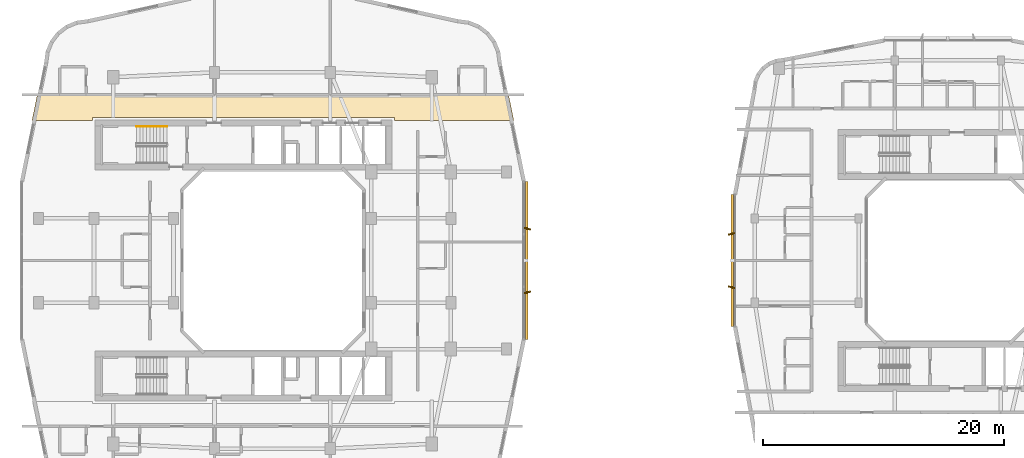
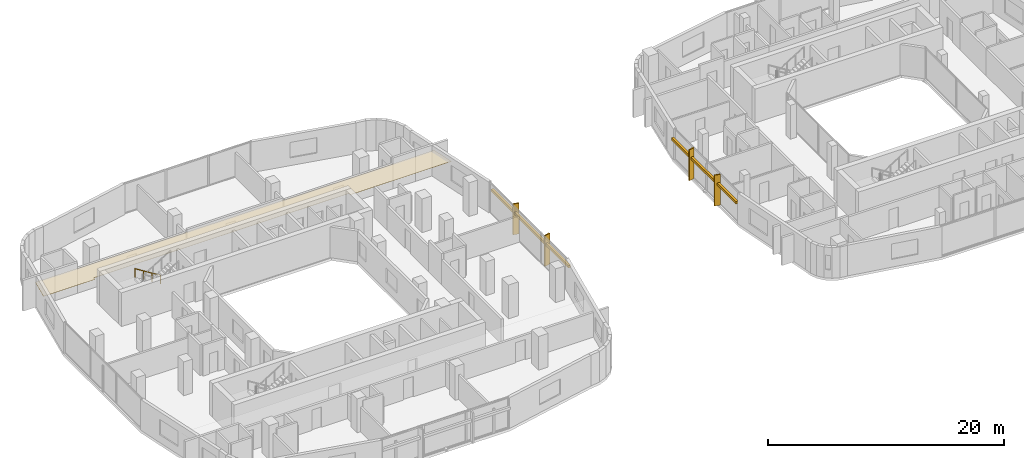
# One storey, part 24 of 25: 6 shading devices, 1 covering, 1 railing.
"""IFC4 building model written with IfcOpenShell, lengths in metres."""

from ifc_helpers import new_model, si_unit, derived_unit, direction, frame, origin, origin_2d, place, context, subcontext, project, spatial, polyline, rectangle, circle, outline, extrude, material, layer, layer_set, type_object, element, save


model = new_model("IFC4")

# Units and contexts
model_context = context("Model", 3, precision=1e-05, world=origin(), true_north=direction((0.0, 1.0)))
body_context = subcontext(model_context, "Body", "Model", "MODEL_VIEW")
ifc_project = project(units=[si_unit("LENGTHUNIT", "METRE"), si_unit("AREAUNIT", "SQUARE_METRE"), si_unit("VOLUMEUNIT", "CUBIC_METRE"), si_unit("PLANEANGLEUNIT", "RADIAN"), si_unit("MASSUNIT", "GRAM", prefix="KILO"), derived_unit("THERMALTRANSMITTANCEUNIT", [(si_unit("POWERUNIT", "WATT"), 1), (si_unit("LENGTHUNIT", "METRE"), -2), (si_unit("THERMODYNAMICTEMPERATUREUNIT", "KELVIN"), -1)])], contexts=[model_context])

# Site, building, storey
site_placement = place(None, origin())
site = spatial("IfcSite", under=ifc_project, at=site_placement, CompositionType="ELEMENT")
building_placement = place(site_placement, origin())
building = spatial("IfcBuilding", under=site, at=building_placement, Name="Kivonza Crest Hotel", CompositionType="ELEMENT")
storey_placement = place(building_placement, frame((0.0, 0.0, 87.0)))
storey = spatial("IfcBuildingStorey", under=building, at=storey_placement, Name="L23", CompositionType="ELEMENT", Elevation=87.0)

# Covering
ifc_material_1 = material(Name="Mineral-fibre acoustic ceiling tile", Category="gypsum")
ifc_layer = layer(ifc_material_1, 0.02490234375)
ifc_layer_set = layer_set([ifc_layer], Name="Mineral-fibre acoustic ceiling tile")
covering_type = type_object("IfcCoveringType", Name="CV-CEIL-ACOU", PredefinedType="CEILING", material=ifc_layer_set)
covering_placement = place(storey_placement, frame((0.0, 0.0, 2.449951171875)))
element("IfcCovering", 1, at=covering_placement, inside=storey, type_object=covering_type, Name="L23 Hotel North Guest Corridor suspended ceiling", PredefinedType="CEILING", context=body_context, shape_type="SweptSolid", body=[
    extrude(outline(polyline([(1.506103515625, 38.7900390625), (1.06396484375, 36.6201171875), (6.10009765625, 36.6201171875), (6.10009765625, 36.860107421875), (31.10009765625, 36.860107421875), (31.10009765625, 36.6201171875), (41.01611328125, 36.6201171875), (40.573974609375, 38.7900390625), (1.506103515625, 38.7900390625)])), origin(), (0.0, 0.0, 1.0), 0.025146484375),
])

# Railing
ifc_material_2 = material(Name="Brushed stainless steel handrail", Category="steel")
railing_type = type_object("IfcRailingType", Name="RL-HAND-900", PredefinedType="HANDRAIL", material=ifc_material_2)
railing_placement = place(storey_placement, frame((12.239990234375, 36.110107421875, 0.175048828125)))
element("IfcRailing", 2, at=railing_placement, inside=storey, type_object=railing_type, Name="L23 ST-T1-N stair handrail 1", PredefinedType="HANDRAIL", context=body_context, shape_type="SweptSolid", body=[
    extrude(circle(Radius=0.02392578125, at=origin_2d()), frame((0.0, 0.0, 0.8759765625), z_axis=(-0.848007534815, 0.0, 0.529984170421), x_axis=(0.0, -1.0, 0.0)), (0.0, 0.0, 1.0), 2.9716796875),
    extrude(circle(Radius=0.02099609375, at=origin_2d()), origin(), (0.0, 0.0, 1.0), 0.851806640625),
    extrude(circle(Radius=0.02099609375, at=origin_2d()), frame((-0.840087890625, 0.0, 0.52490234375)), (0.0, 0.0, 1.0), 0.851806640625),
    extrude(circle(Radius=0.02099609375, at=origin_2d()), frame((-1.679931640625, 0.0, 1.050048828125)), (0.0, 0.0, 1.0), 0.851806640625),
    extrude(circle(Radius=0.02099609375, at=origin_2d()), frame((-2.52001953125, 0.0, 1.574951171875)), (0.0, 0.0, 1.0), 0.851806640625),
])

# Shading devices
ifc_material_3 = material(Name="Kiln-fired Nairobi red-ochre terracotta", Category="masonry")
shading_device_type_1 = type_object("IfcShadingDeviceType", Name="SH-BAGUETTE-300", PredefinedType="USERDEFINED", material=ifc_material_3)
shading_device_1_placement = place(storey_placement, frame((42.080078125, 25.0, 2.09619140625), z_axis=(0.0, 0.0, 1.0), x_axis=(0.0, 1.0, 0.0)))
element("IfcShadingDevice", 3, at=shading_device_1_placement, inside=storey, type_object=shading_device_type_1, Name="L23 terracotta baguette screen CW-T1-L23-17", ObjectType="BAGUETTE", PredefinedType="USERDEFINED", context=body_context, shape_type="SweptSolid", body=[
    extrude(rectangle(XDim=13.080078125, YDim=0.219970703125, at=origin_2d()), origin(), (0.0, 0.0, 1.0), 0.260009765625),
])
shading_device_2_placement = place(storey_placement, frame((59.1201171875, 25.0, 2.09619140625), z_axis=(0.0, 0.0, 1.0), x_axis=(0.0, -1.0, 0.0)))
element("IfcShadingDevice", 4, at=shading_device_2_placement, inside=storey, type_object=shading_device_type_1, Name="L23 terracotta baguette screen CW-T2-L23-35", ObjectType="BAGUETTE", PredefinedType="USERDEFINED", context=body_context, shape_type="SweptSolid", body=[
    extrude(rectangle(XDim=10.919921875, YDim=0.219970703125, at=origin_2d()), origin(), (0.0, 0.0, 1.0), 0.260009765625),
])
ifc_material_4 = material(Name="Kiln-fired terracotta over extruded aluminium spine", Category="masonry")
shading_device_type_2 = type_object("IfcShadingDeviceType", Name="SH-FIN-550", PredefinedType="USERDEFINED", material=ifc_material_4)
for number, where, z_axis, x_axis, name in (
    (5, (42.139892578125, 22.360107421875, 0.0), (0.0, 0.0, 1.0), (-0.2419218956, 0.970295726276, 0.0), "L23 vertical solar shading fin CW-T1-L23-17-1"),
    (6, (42.139892578125, 27.639892578125, 0.0), (0.0, 0.0, 1.0), (0.2419218956, 0.970295726276, 0.0), "L23 vertical solar shading fin CW-T1-L23-17-2"),
    (7, (59.06005859375, 27.2080078125, 0.0), (0.0, 0.0, 1.0), (0.2419218956, -0.970295726276, 0.0), "L23 vertical solar shading fin CW-T2-L23-35-1"),
    (8, (59.06005859375, 22.7919921875, 0.0), (0.0, 0.0, 1.0), (-0.2419218956, -0.970295726276, 0.0), "L23 vertical solar shading fin CW-T2-L23-35-2"),
):
    element("IfcShadingDevice", number, at=place(storey_placement, frame(where, z_axis=z_axis, x_axis=x_axis)), inside=storey, type_object=shading_device_type_2, Name=name, ObjectType="FIN", PredefinedType="USERDEFINED", context=body_context, shape_type="SweptSolid", body=[
        extrude(rectangle(XDim=0.1201171875, YDim=0.550048828125, at=origin_2d()), origin(), (0.0, 0.0, 1.0), 3.179931640625),
    ])

save(model, "model.ifc")
